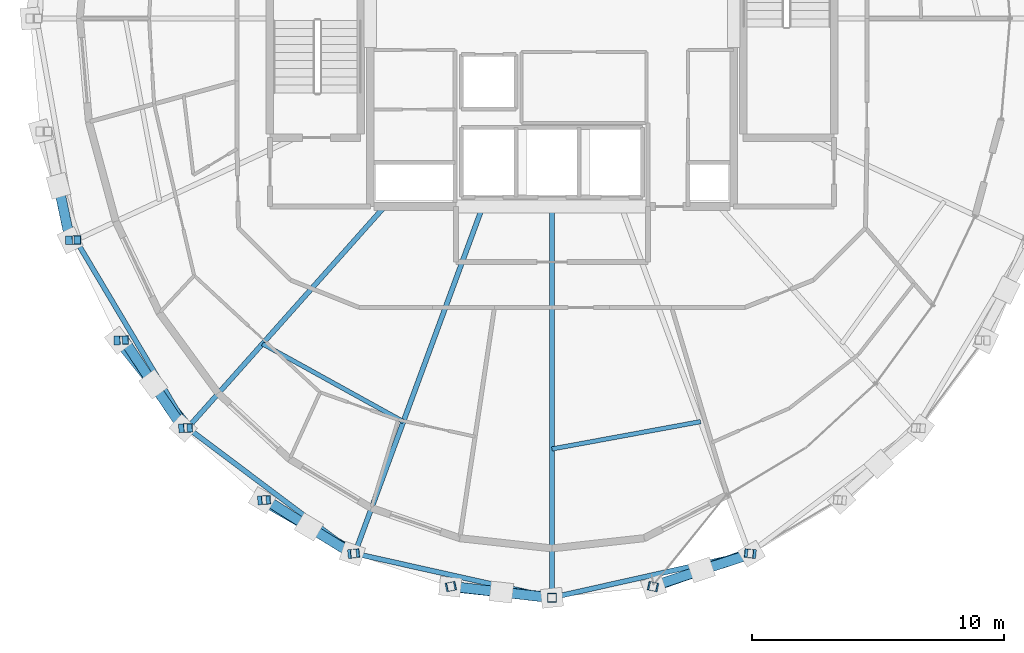
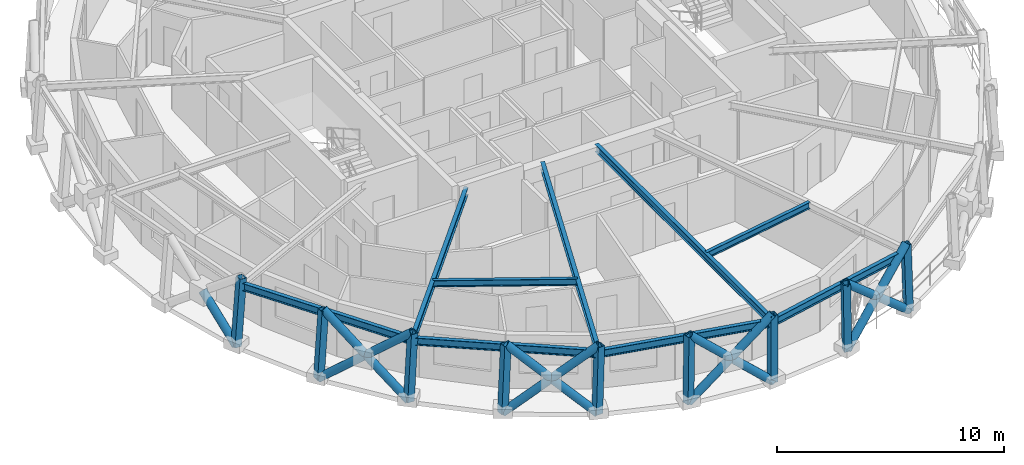
# One storey, part 1 of 16: 22 members, 9 beams.
"""IFC4 building model written with IfcOpenShell, lengths in metres."""

from ifc_helpers import new_model, si_unit, direction, frame, origin, origin_2d, place, context, subcontext, project, spatial, hollow_rectangle, hollow_circle, i_section, extrude, material, material_profile, profile_set, type_object, element, save


model = new_model("IFC4")

# Units and contexts
model_context = context("Model", 3, precision=1e-05, world=origin(), true_north=direction((0.0, 1.0)))
body_context = subcontext(model_context, "Body", "Model", "MODEL_VIEW")
ifc_project = project(units=[si_unit("LENGTHUNIT", "METRE"), si_unit("AREAUNIT", "SQUARE_METRE"), si_unit("VOLUMEUNIT", "CUBIC_METRE"), si_unit("PLANEANGLEUNIT", "RADIAN"), si_unit("MASSUNIT", "GRAM", prefix="KILO")], contexts=[model_context])

# Site, building, storey
site_placement = place(None, origin())
site = spatial("IfcSite", under=ifc_project, at=site_placement, CompositionType="ELEMENT")
building_placement = place(site_placement, origin())
building = spatial("IfcBuilding", under=site, at=building_placement, Name="Veldorina Hangang Commons", CompositionType="ELEMENT")
storey_placement = place(building_placement, frame((0.0, 0.0, 279.60009765625)))
storey = spatial("IfcBuildingStorey", under=building, at=storey_placement, Name="L73", CompositionType="ELEMENT", Elevation=279.60009765625)

# Beams
ifc_material = material(Name="Steel SM355-TMC", Category="steel")
ifc_material_profile_1 = material_profile(ifc_material, i_section(OverallWidth=0.199951171875, OverallDepth=0.39990234375, WebThickness=0.008056640625, FlangeThickness=0.012939453125, FilletRadius=0.012939453125, at=origin_2d()), Name="H-400x200x8x13")
ifc_profile_set_1 = profile_set([ifc_material_profile_1], Name="Steel SM355-TMC")
beam_type_1 = type_object("IfcBeamType", Name="BM-FG400", PredefinedType="BEAM", material=ifc_profile_set_1)
beam_1_placement = place(storey_placement, frame((25.369873046875, 16.550048828125, 3.159912109375), z_axis=(-0.664804756988, -0.747017158495, 0.0), x_axis=(0.747017158495, -0.664804756988, 0.0)))
element("IfcBeam", 1, at=beam_1_placement, inside=storey, type_object=beam_type_1, Name="L73 radial floor girder 11", PredefinedType="BEAM", context=body_context, shape_type="SweptSolid", body=[
    extrude(i_section(OverallWidth=0.199951171875, OverallDepth=0.39990234375, WebThickness=0.008056640625, FlangeThickness=0.012939453125, FilletRadius=0.012939453125, at=origin_2d()), origin(), (0.0, 0.0, 1.0), 11.750732421875),
])
beam_2_placement = place(storey_placement, frame((29.253662109375, 16.550048828125, 3.159912109375), z_axis=(-0.345868219805, -0.938283099352, 0.0), x_axis=(0.938283099352, -0.345868219805, 0.0)))
element("IfcBeam", 2, at=beam_2_placement, inside=storey, type_object=beam_type_1, Name="L73 radial floor girder 12", PredefinedType="BEAM", context=body_context, shape_type="SweptSolid", body=[
    extrude(i_section(OverallWidth=0.199951171875, OverallDepth=0.39990234375, WebThickness=0.008056640625, FlangeThickness=0.012939453125, FilletRadius=0.012939453125, at=origin_2d()), origin(), (0.0, 0.0, 1.0), 14.657470703125),
])
beam_3_placement = place(storey_placement, frame((32.0, 16.550048828125, 3.159912109375), z_axis=(0.0, -1.0, 0.0), x_axis=(1.0, 0.0, 0.0)))
element("IfcBeam", 3, at=beam_3_placement, inside=storey, type_object=beam_type_1, Name="L73 radial floor girder 13", PredefinedType="BEAM", context=body_context, shape_type="SweptSolid", body=[
    extrude(i_section(OverallWidth=0.199951171875, OverallDepth=0.39990234375, WebThickness=0.008056640625, FlangeThickness=0.012939453125, FilletRadius=0.012939453125, at=origin_2d()), origin(), (0.0, 0.0, 1.0), 15.5),
])
ifc_material_profile_2 = material_profile(ifc_material, i_section(OverallWidth=0.175048828125, OverallDepth=0.35009765625, WebThickness=0.007080078125, FlangeThickness=0.010986328125, FilletRadius=0.012939453125, at=origin_2d()), Name="H-350x175x7x11")
ifc_profile_set_2 = profile_set([ifc_material_profile_2], Name="Steel SM355-TMC")
beam_type_2 = type_object("IfcBeamType", Name="BM-JST350", PredefinedType="JOIST", material=ifc_profile_set_2)
beam_4_placement = place(storey_placement, frame((20.5263671875, 11.107666015625, 3.184814453125), z_axis=(0.875344265434, -0.48350017267, 0.0), x_axis=(0.48350017267, 0.875344265434, 0.0)))
element("IfcBeam", 4, at=beam_4_placement, inside=storey, type_object=beam_type_2, Name="L73 secondary floor joist 11", PredefinedType="JOIST", context=body_context, shape_type="SweptSolid", body=[
    extrude(i_section(OverallWidth=0.175048828125, OverallDepth=0.35009765625, WebThickness=0.007080078125, FlangeThickness=0.010986328125, FilletRadius=0.012939453125, at=origin_2d()), origin(), (0.0, 0.0, 1.0), 6.37939453125),
])
beam_5_placement = place(storey_placement, frame((32.0, 6.93994140625, 3.184814453125), z_axis=(0.983501897118, 0.180897811943, 0.0), x_axis=(-0.180897811943, 0.983501897118, 0.0)))
element("IfcBeam", 5, at=beam_5_placement, inside=storey, type_object=beam_type_2, Name="L73 secondary floor joist 13", PredefinedType="JOIST", context=body_context, shape_type="SweptSolid", body=[
    extrude(i_section(OverallWidth=0.175048828125, OverallDepth=0.35009765625, WebThickness=0.007080078125, FlangeThickness=0.010986328125, FilletRadius=0.012939453125, at=origin_2d()), origin(), (0.0, 0.0, 1.0), 5.98828125),
])
ifc_material_profile_3 = material_profile(ifc_material, i_section(OverallWidth=0.199951171875, OverallDepth=0.39990234375, WebThickness=0.008056640625, FlangeThickness=0.012939453125, FilletRadius=0.012939453125, at=origin_2d()), Name="H-400x200x8x13")
ifc_profile_set_3 = profile_set([ifc_material_profile_3], Name="Steel SM355-TMC")
beam_type_3 = type_object("IfcBeamType", Name="BM-RB400", PredefinedType="BEAM", material=ifc_profile_set_3)
beam_6_placement = place(storey_placement, frame((13.13037109375, 15.21728515625, 3.159912109375), z_axis=(0.511122102298, -0.859508113134, 0.0), x_axis=(0.859508113134, 0.511122102298, 0.0)))
element("IfcBeam", 6, at=beam_6_placement, inside=storey, type_object=beam_type_3, Name="L73 perimeter hoop ring beam 18", PredefinedType="BEAM", context=body_context, shape_type="SweptSolid", body=[
    extrude(i_section(OverallWidth=0.199951171875, OverallDepth=0.39990234375, WebThickness=0.008056640625, FlangeThickness=0.012939453125, FilletRadius=0.012939453125, at=origin_2d()), origin(), (0.0, 0.0, 1.0), 8.662353515625),
])
beam_7_placement = place(storey_placement, frame((17.557861328125, 7.77197265625, 3.159912109375), z_axis=(0.799699360475, -0.600400643617, 0.0), x_axis=(0.600400643617, 0.799699360475, 0.0)))
element("IfcBeam", 7, at=beam_7_placement, inside=storey, type_object=beam_type_3, Name="L73 perimeter hoop ring beam 20", PredefinedType="BEAM", context=body_context, shape_type="SweptSolid", body=[
    extrude(i_section(OverallWidth=0.199951171875, OverallDepth=0.39990234375, WebThickness=0.008056640625, FlangeThickness=0.012939453125, FilletRadius=0.012939453125, at=origin_2d()), origin(), (0.0, 0.0, 1.0), 8.285888671875),
])
for number, where, z_axis, x_axis, name in (
    (8, (24.18408203125, 2.797119140625, 3.159912109375), (0.975916611529, -0.218143914291, 0.0), (0.218143914291, 0.975916611529, 0.0), "L73 perimeter hoop ring beam 22"),
    (9, (32.0, 1.050048828125, 3.159912109375), (0.975916611529, 0.218143914291, 0.0), (-0.218143914291, 0.975916611529, 0.0), "L73 perimeter hoop ring beam 24"),
):
    element("IfcBeam", number, at=place(storey_placement, frame(where, z_axis=z_axis, x_axis=x_axis)), inside=storey, type_object=beam_type_3, Name=name, PredefinedType="BEAM", context=body_context, shape_type="SweptSolid", body=[
        extrude(i_section(OverallWidth=0.199951171875, OverallDepth=0.39990234375, WebThickness=0.008056640625, FlangeThickness=0.012939453125, FilletRadius=0.012939453125, at=origin_2d()), origin(), (0.0, 0.0, 1.0), 8.0087890625),
    ])

# Members
ifc_material_profile_4 = material_profile(ifc_material, hollow_circle(Radius=0.199951171875, WallThickness=0.02001953125, at=origin_2d()), Name="CHS-400x20")
ifc_profile_set_4 = profile_set([ifc_material_profile_4], Name="Steel SM355-TMC")
member_type_1 = type_object("IfcMemberType", Name="DG-CHS400", PredefinedType="BRACE", material=ifc_profile_set_4)
member_1_placement = place(storey_placement, frame((12.90087890625, 15.21337890625, 0.0), z_axis=(-0.160545478858, 0.757249519466, 0.633086340467), x_axis=(-0.978255939131, -0.207401344149, 0.0)))
element("IfcMember", 10, at=member_1_placement, inside=storey, type_object=member_type_1, Name="L73 split perimeter diagrid lower brace 18", PredefinedType="BRACE", context=body_context, shape_type="SweptSolid", body=[
    extrude(hollow_circle(Radius=0.199951171875, WallThickness=0.02001953125, at=origin_2d()), origin(), (0.0, 0.0, 1.0), 2.84521484375),
])
member_2_placement = place(storey_placement, frame((14.811279296875, 11.243896484375, 0.0), z_axis=(0.484688521191, -0.607120414606, 0.629668039204), x_axis=(0.781501228273, 0.623903702672, 0.0)))
element("IfcMember", 11, at=member_2_placement, inside=storey, type_object=member_type_1, Name="L73 continuous perimeter diagrid brace 19", PredefinedType="BRACE", context=body_context, shape_type="SweptSolid", body=[
    extrude(hollow_circle(Radius=0.199951171875, WallThickness=0.02001953125, at=origin_2d()), origin(), (0.0, 0.0, 1.0), 5.717041015625),
])
member_3_placement = place(storey_placement, frame((17.382080078125, 7.764404296875, 0.0), z_axis=(-0.426414524127, 0.627727992646, 0.651251273213), x_axis=(-0.827196327671, -0.561913014165, 0.0)))
element("IfcMember", 12, at=member_3_placement, inside=storey, type_object=member_type_1, Name="L73 split perimeter diagrid lower brace 20", PredefinedType="BRACE", context=body_context, shape_type="SweptSolid", body=[
    extrude(hollow_circle(Radius=0.199951171875, WallThickness=0.02001953125, at=origin_2d()), origin(), (0.0, 0.0, 1.0), 2.77099609375),
])
member_4_placement = place(storey_placement, frame((16.200439453125, 9.50390625, 1.8046875), z_axis=(-0.418408052163, 0.633366738294, 0.650984851366), x_axis=(-0.834375550183, -0.551196372682, 0.0)))
element("IfcMember", 13, at=member_4_placement, inside=storey, type_object=member_type_1, Name="L73 split perimeter diagrid upper brace 20", PredefinedType="BRACE", context=body_context, shape_type="SweptSolid", body=[
    extrude(hollow_circle(Radius=0.199951171875, WallThickness=0.02001953125, at=origin_2d()), origin(), (0.0, 0.0, 1.0), 2.757568359375),
])
member_5_placement = place(storey_placement, frame((20.514892578125, 4.908935546875, 0.0), z_axis=(0.661657327551, -0.379236729873, 0.646830026834), x_axis=(0.497272128672, 0.867594623108, 0.0)))
element("IfcMember", 14, at=member_5_placement, inside=storey, type_object=member_type_1, Name="L73 continuous perimeter diagrid brace 21", PredefinedType="BRACE", context=body_context, shape_type="SweptSolid", body=[
    extrude(hollow_circle(Radius=0.199951171875, WallThickness=0.02001953125, at=origin_2d()), origin(), (0.0, 0.0, 1.0), 5.5654296875),
])
member_6_placement = place(storey_placement, frame((24.0888671875, 2.787109375, 0.0), z_axis=(-0.634854553967, 0.390949531959, 0.666421907479), x_axis=(-0.524359878135, -0.851496751727, 0.0)))
element("IfcMember", 15, at=member_6_placement, inside=storey, type_object=member_type_1, Name="L73 split perimeter diagrid lower brace 22", PredefinedType="BRACE", context=body_context, shape_type="SweptSolid", body=[
    extrude(hollow_circle(Radius=0.199951171875, WallThickness=0.02001953125, at=origin_2d()), origin(), (0.0, 0.0, 1.0), 2.714599609375),
])
member_7_placement = place(storey_placement, frame((22.365478515625, 3.848388671875, 1.80908203125), z_axis=(-0.630184774374, 0.39840833847, 0.666436753177), x_axis=(-0.534373490712, -0.845248467863, 0.0)))
element("IfcMember", 16, at=member_7_placement, inside=storey, type_object=member_type_1, Name="L73 split perimeter diagrid upper brace 22", PredefinedType="BRACE", context=body_context, shape_type="SweptSolid", body=[
    extrude(hollow_circle(Radius=0.199951171875, WallThickness=0.02001953125, at=origin_2d()), origin(), (0.0, 0.0, 1.0), 2.68701171875),
])
member_8_placement = place(storey_placement, frame((27.967041015625, 1.480712890625, 0.0), z_axis=(0.743689559393, -0.079145604783, 0.663823630562), x_axis=(0.10582531422, 0.994384735839, 0.0)))
element("IfcMember", 17, at=member_8_placement, inside=storey, type_object=member_type_1, Name="L73 continuous perimeter diagrid brace 23", PredefinedType="BRACE", context=body_context, shape_type="SweptSolid", body=[
    extrude(hollow_circle(Radius=0.199951171875, WallThickness=0.02001953125, at=origin_2d()), origin(), (0.0, 0.0, 1.0), 5.4228515625),
])
member_9_placement = place(storey_placement, frame((32.0, 1.039306640625, 0.0), z_axis=(-0.738912859439, 0.083142334422, 0.668651731758), x_axis=(-0.111814212615, -0.993729129017, 0.0)))
element("IfcMember", 18, at=member_9_placement, inside=storey, type_object=member_type_1, Name="L73 split perimeter diagrid lower brace 24", PredefinedType="BRACE", context=body_context, shape_type="SweptSolid", body=[
    extrude(hollow_circle(Radius=0.199951171875, WallThickness=0.02001953125, at=origin_2d()), origin(), (0.0, 0.0, 1.0), 2.710205078125),
])
member_10_placement = place(storey_placement, frame((29.997314453125, 1.2646484375, 1.812255859375), z_axis=(-0.738727234697, 0.085195613099, 0.668598369895), x_axis=(-0.114568177602, -0.993415387781, 0.0)))
element("IfcMember", 19, at=member_10_placement, inside=storey, type_object=member_type_1, Name="L73 split perimeter diagrid upper brace 24", PredefinedType="BRACE", context=body_context, shape_type="SweptSolid", body=[
    extrude(hollow_circle(Radius=0.199951171875, WallThickness=0.02001953125, at=origin_2d()), origin(), (0.0, 0.0, 1.0), 2.673583984375),
])
member_11_placement = place(storey_placement, frame((36.032958984375, 1.480712890625, 0.0), z_axis=(0.701163463535, 0.245073454614, 0.669558660049), x_axis=(-0.32995008467, 0.943998380097, 0.0)))
element("IfcMember", 20, at=member_11_placement, inside=storey, type_object=member_type_1, Name="L73 continuous perimeter diagrid brace 25", PredefinedType="BRACE", context=body_context, shape_type="SweptSolid", body=[
    extrude(hollow_circle(Radius=0.199951171875, WallThickness=0.02001953125, at=origin_2d()), origin(), (0.0, 0.0, 1.0), 5.37646484375),
])
member_12_placement = place(storey_placement, frame((39.9111328125, 2.787109375, 0.0), z_axis=(-0.717795472901, -0.233133177251, 0.656062939623), x_axis=(0.308905880459, -0.951092612219, 0.0)))
element("IfcMember", 21, at=member_12_placement, inside=storey, type_object=member_type_1, Name="L73 split perimeter diagrid lower brace 26", PredefinedType="BRACE", context=body_context, shape_type="SweptSolid", body=[
    extrude(hollow_circle(Radius=0.199951171875, WallThickness=0.02001953125, at=origin_2d()), origin(), (0.0, 0.0, 1.0), 2.760498046875),
])
member_13_placement = place(storey_placement, frame((37.9296875, 2.1435546875, 1.81103515625), z_axis=(-0.715902983832, -0.23881341562, 0.656087700129), x_axis=(0.316441329204, -0.94861208361, 0.0)))
element("IfcMember", 22, at=member_13_placement, inside=storey, type_object=member_type_1, Name="L73 split perimeter diagrid upper brace 26", PredefinedType="BRACE", context=body_context, shape_type="SweptSolid", body=[
    extrude(hollow_circle(Radius=0.199951171875, WallThickness=0.02001953125, at=origin_2d()), origin(), (0.0, 0.0, 1.0), 2.7265625),
])
ifc_material_profile_5 = material_profile(ifc_material, hollow_rectangle(XDim=0.35009765625, YDim=0.35009765625, WallThickness=0.01611328125, at=origin_2d()), Name="SHS-350x350x16")
ifc_profile_set_5 = profile_set([ifc_material_profile_5], Name="Steel SM355-TMC")
member_type_2 = type_object("IfcMemberType", Name="STR-SHS350", PredefinedType="STRUT", material=ifc_profile_set_5)
member_14_placement = place(storey_placement, frame((12.90087890625, 15.21337890625, 0.0), z_axis=(0.072443882672, 0.001285185594, 0.997371662), x_axis=(-0.017737638505, 0.999842675715, 0.0)))
element("IfcMember", 23, at=member_14_placement, inside=storey, type_object=member_type_2, Name="L73 perimeter ring node post 18", PredefinedType="STRUT", context=body_context, shape_type="SweptSolid", body=[
    extrude(hollow_rectangle(XDim=0.35009765625, YDim=0.35009765625, WallThickness=0.01611328125, at=origin_2d()), origin(), (0.0, 0.0, 1.0), 3.609375),
])
member_15_placement = place(storey_placement, frame((14.811279296875, 11.243896484375, 0.0), z_axis=(0.065238709046, 0.001827225253, 0.997868013361), x_axis=(-0.027997319452, 0.999607998219, 0.0)))
element("IfcMember", 24, at=member_15_placement, inside=storey, type_object=member_type_2, Name="L73 perimeter ring node post 19", PredefinedType="STRUT", context=body_context, shape_type="SweptSolid", body=[
    extrude(hollow_rectangle(XDim=0.35009765625, YDim=0.35009765625, WallThickness=0.01611328125, at=origin_2d()), origin(), (0.0, 0.0, 1.0), 3.607666015625),
])
member_16_placement = place(storey_placement, frame((17.382080078125, 7.764404296875, 0.0), z_axis=(0.055526119102, 0.002370017279, 0.998454422152), x_axis=(-0.042644099308, 0.999090326644, 0.0)))
element("IfcMember", 25, at=member_16_placement, inside=storey, type_object=member_type_2, Name="L73 perimeter ring node post 20", PredefinedType="STRUT", context=body_context, shape_type="SweptSolid", body=[
    extrude(hollow_rectangle(XDim=0.35009765625, YDim=0.35009765625, WallThickness=0.01611328125, at=origin_2d()), origin(), (0.0, 0.0, 1.0), 3.60546875),
])
member_17_placement = place(storey_placement, frame((20.514892578125, 4.908935546875, 0.0), z_axis=(0.043634055947, 0.002777944556, 0.999043718856), x_axis=(-0.063535965105, 0.997979549459, 0.0)))
element("IfcMember", 26, at=member_17_placement, inside=storey, type_object=member_type_2, Name="L73 perimeter ring node post 21", PredefinedType="STRUT", context=body_context, shape_type="SweptSolid", body=[
    extrude(hollow_rectangle(XDim=0.35009765625, YDim=0.35009765625, WallThickness=0.01611328125, at=origin_2d()), origin(), (0.0, 0.0, 1.0), 3.603271484375),
])
member_18_placement = place(storey_placement, frame((24.0888671875, 2.787109375, 0.0), z_axis=(0.030098113652, 0.003118273036, 0.999542085121), x_axis=(-0.103052014752, 0.994675968472, 0.0)))
element("IfcMember", 27, at=member_18_placement, inside=storey, type_object=member_type_2, Name="L73 perimeter ring node post 22", PredefinedType="STRUT", context=body_context, shape_type="SweptSolid", body=[
    extrude(hollow_rectangle(XDim=0.35009765625, YDim=0.35009765625, WallThickness=0.01611328125, at=origin_2d()), origin(), (0.0, 0.0, 1.0), 3.6015625),
])
member_19_placement = place(storey_placement, frame((27.967041015625, 1.480712890625, 0.0), z_axis=(0.015325348336, 0.003254941239, 0.999877261996), x_axis=(-0.207755223872, 0.97818084573, 0.0)))
element("IfcMember", 28, at=member_19_placement, inside=storey, type_object=member_type_2, Name="L73 perimeter ring node post 23", PredefinedType="STRUT", context=body_context, shape_type="SweptSolid", body=[
    extrude(hollow_rectangle(XDim=0.35009765625, YDim=0.35009765625, WallThickness=0.01611328125, at=origin_2d()), origin(), (0.0, 0.0, 1.0), 3.600341796875),
])
member_20_placement = place(storey_placement, frame((32.0, 1.039306640625, 0.0), z_axis=(0.0, 0.003390960497, 0.999994250677), x_axis=(-1.0, 0.0, 0.0)))
element("IfcMember", 29, at=member_20_placement, inside=storey, type_object=member_type_2, Name="L73 perimeter ring node post 24", PredefinedType="STRUT", context=body_context, shape_type="SweptSolid", body=[
    extrude(hollow_rectangle(XDim=0.35009765625, YDim=0.35009765625, WallThickness=0.01611328125, at=origin_2d()), origin(), (0.0, 0.0, 1.0), 3.599853515625),
])
member_21_placement = place(storey_placement, frame((36.032958984375, 1.480712890625, 0.0), z_axis=(-0.015325348336, 0.003254941239, 0.999877261996), x_axis=(-0.207755223872, -0.97818084573, 0.0)))
element("IfcMember", 30, at=member_21_placement, inside=storey, type_object=member_type_2, Name="L73 perimeter ring node post 25", PredefinedType="STRUT", context=body_context, shape_type="SweptSolid", body=[
    extrude(hollow_rectangle(XDim=0.35009765625, YDim=0.35009765625, WallThickness=0.01611328125, at=origin_2d()), origin(), (0.0, 0.0, 1.0), 3.600341796875),
])
member_22_placement = place(storey_placement, frame((39.9111328125, 2.787109375, 0.0), z_axis=(-0.030098113652, 0.003118273036, 0.999542085121), x_axis=(-0.103052014752, -0.994675968472, 0.0)))
element("IfcMember", 31, at=member_22_placement, inside=storey, type_object=member_type_2, Name="L73 perimeter ring node post 26", PredefinedType="STRUT", context=body_context, shape_type="SweptSolid", body=[
    extrude(hollow_rectangle(XDim=0.35009765625, YDim=0.35009765625, WallThickness=0.01611328125, at=origin_2d()), origin(), (0.0, 0.0, 1.0), 3.6015625),
])

save(model, "model.ifc")
